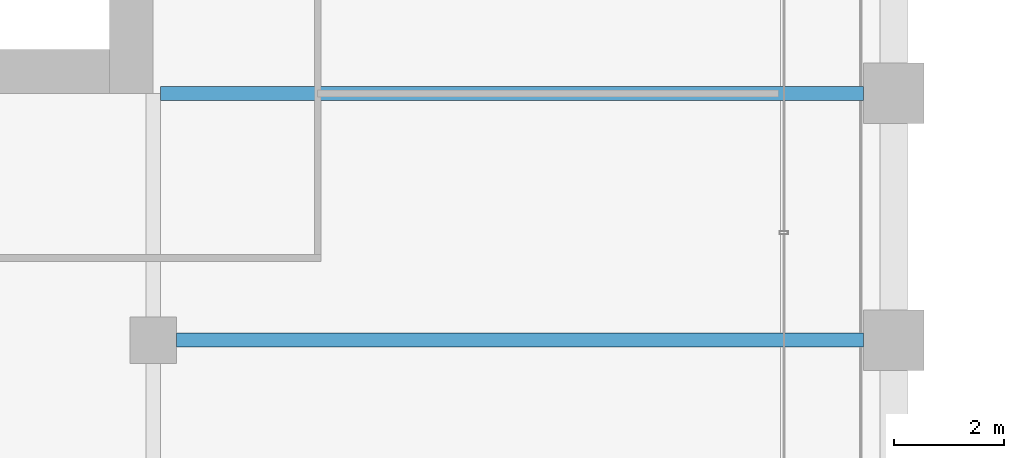
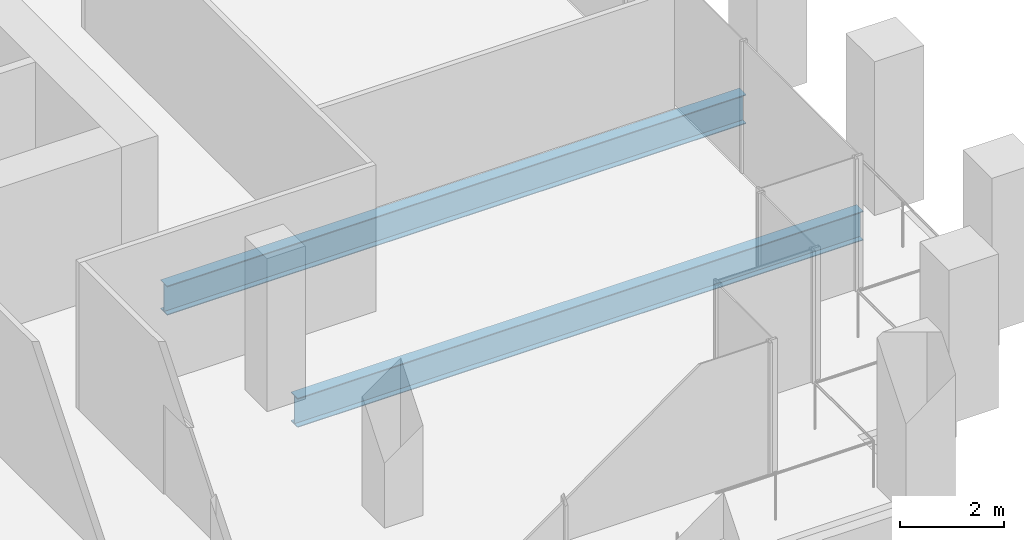
# One storey, part 17 of 54: 2 beams.
"""IFC4 building model written with IfcOpenShell, lengths in metres."""

from ifc_helpers import new_model, si_unit, direction, frame, origin, origin_2d, place, context, subcontext, project, spatial, i_section, extrude, material, material_profile, profile_set, type_object, element, save


model = new_model("IFC4")

# Units and contexts
model_context = context("Model", 3, precision=1e-05, world=origin(), true_north=direction((0.0, 1.0)))
body_context = subcontext(model_context, "Body", "Model", "MODEL_VIEW")
ifc_project = project(units=[si_unit("LENGTHUNIT", "METRE"), si_unit("AREAUNIT", "SQUARE_METRE"), si_unit("VOLUMEUNIT", "CUBIC_METRE"), si_unit("PLANEANGLEUNIT", "RADIAN"), si_unit("MASSUNIT", "GRAM", prefix="KILO")], contexts=[model_context])

# Site, building, storey
site_placement = place(None, origin())
site = spatial("IfcSite", under=ifc_project, at=site_placement, CompositionType="ELEMENT")
building_placement = place(site_placement, origin())
building = spatial("IfcBuilding", under=site, at=building_placement, Name="Altepetl Exchange Towers", CompositionType="ELEMENT")
storey_placement = place(building_placement, frame((0.0, 0.0, 58.199951171875)))
storey = spatial("IfcBuildingStorey", under=building, at=storey_placement, Name="L13", CompositionType="ELEMENT", Elevation=58.199951171875)

# Beams
ifc_material = material(Name="Steel S355", Category="steel")
ifc_material_profile = material_profile(ifc_material, i_section(OverallWidth=0.25390625, OverallDepth=0.68408203125, WebThickness=0.012451171875, FlangeThickness=0.018798828125, at=origin_2d()), Name="W27X94")
ifc_profile_set = profile_set([ifc_material_profile], Name="Steel S355")
beam_type = type_object("IfcBeamType", Name="Floor beam W27X94", PredefinedType="BEAM", material=ifc_profile_set)
beam_1_placement = place(storey_placement, frame((58.925048828125, 36.0, -0.491943359375), z_axis=(1.0, 0.0, 0.0), x_axis=(0.0, 1.0, 0.0)))
element("IfcBeam", 1, at=beam_1_placement, inside=storey, type_object=beam_type, Name="bm:A:L13:007", PredefinedType="BEAM", context=body_context, shape_type="SweptSolid", body=[
    extrude(i_section(OverallWidth=0.25390625, OverallDepth=0.68408203125, WebThickness=0.012451171875, FlangeThickness=0.018798828125, at=origin_2d()), origin(), (0.0, 0.0, 1.0), 12.52490234375),
])
beam_2_placement = place(storey_placement, frame((58.634033203125, 40.5, -0.491943359375), z_axis=(1.0, 0.0, 0.0), x_axis=(0.0, 1.0, 0.0)))
element("IfcBeam", 2, at=beam_2_placement, inside=storey, type_object=beam_type, Name="bm:A:L13:008", PredefinedType="BEAM", context=body_context, shape_type="SweptSolid", body=[
    extrude(i_section(OverallWidth=0.25390625, OverallDepth=0.68408203125, WebThickness=0.012451171875, FlangeThickness=0.018798828125, at=origin_2d()), origin(), (0.0, 0.0, 1.0), 12.81591796875),
])

save(model, "model.ifc")
